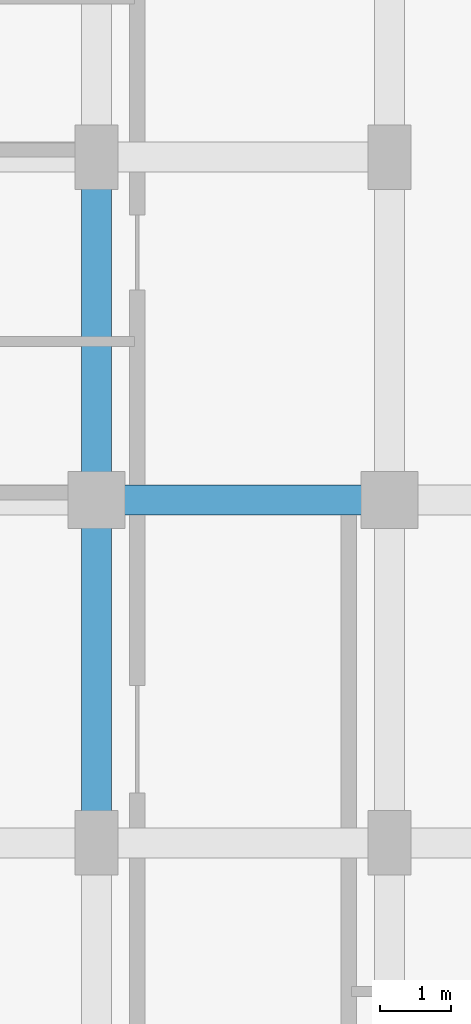
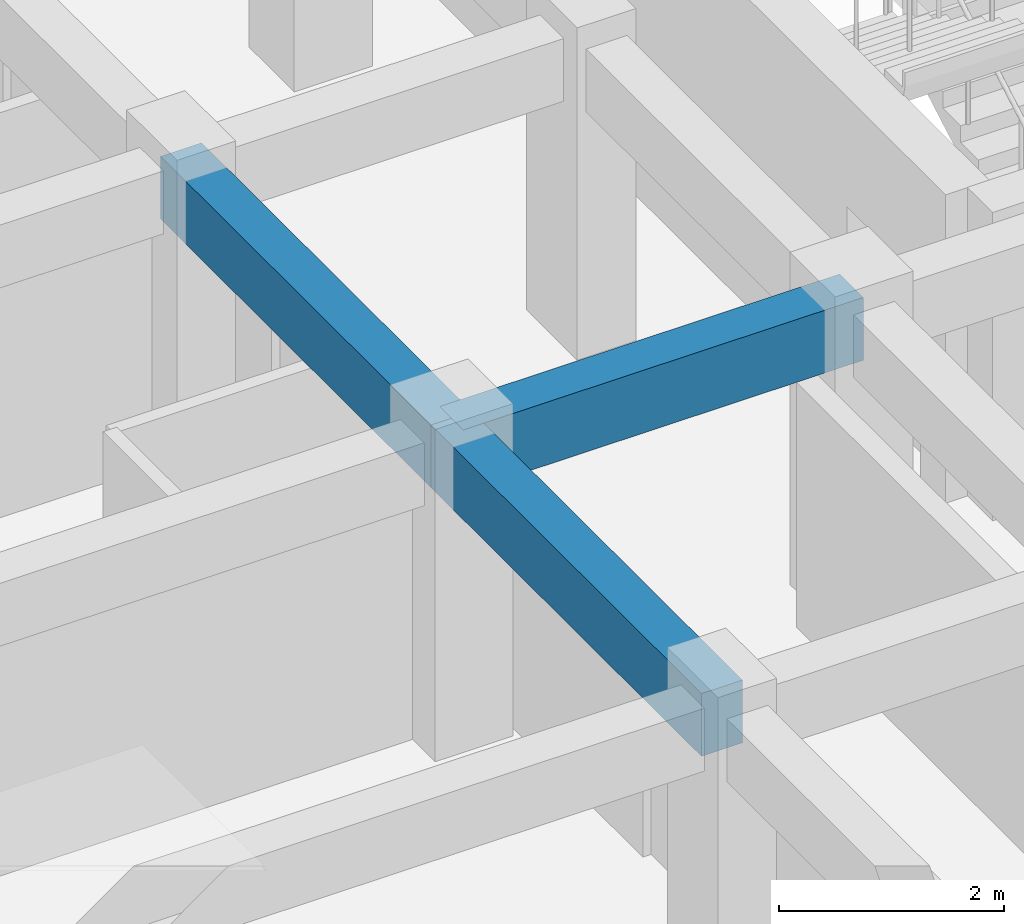
# One storey, part 7 of 82: 3 beams.
"""IFC4 building model written with IfcOpenShell, lengths in metres."""

from ifc_helpers import new_model, si_unit, direction, frame, origin, origin_2d, place, context, subcontext, project, spatial, rectangle, extrude, material, material_profile, profile_set, type_object, element, save


model = new_model("IFC4")

# Units and contexts
model_context = context("Model", 3, precision=1e-05, world=origin(), true_north=direction((0.0, 1.0)))
body_context = subcontext(model_context, "Body", "Model", "MODEL_VIEW")
ifc_project = project(units=[si_unit("LENGTHUNIT", "METRE"), si_unit("AREAUNIT", "SQUARE_METRE"), si_unit("VOLUMEUNIT", "CUBIC_METRE"), si_unit("PLANEANGLEUNIT", "RADIAN"), si_unit("MASSUNIT", "GRAM", prefix="KILO")], contexts=[model_context])

# Site, building, storey
site_placement = place(None, origin())
site = spatial("IfcSite", under=ifc_project, at=site_placement, CompositionType="ELEMENT")
building_placement = place(site_placement, origin())
building = spatial("IfcBuilding", under=site, at=building_placement, Name="Nakhvara Creek Congress Hotel", CompositionType="ELEMENT")
storey_placement = place(building_placement, frame((0.0, 0.0, 21.0)))
storey = spatial("IfcBuildingStorey", under=building, at=storey_placement, Name="L04", CompositionType="ELEMENT", Elevation=21.0)

# Beams
ifc_material = material(Name="Concrete C40/50", Category="concrete")
ifc_material_profile = material_profile(ifc_material, rectangle(XDim=0.419921875, YDim=0.679931640625, at=origin_2d()), Name="RC-BM 420x680", Category="LoadBearing")
ifc_profile_set = profile_set([ifc_material_profile], Name="Concrete C40/50")
beam_type = type_object("IfcBeamType", Name="BM-RC-420X680", PredefinedType="BEAM", material=ifc_profile_set)
beam_placement = place(storey_placement, frame((162.35009765625, 28.800048828125, 3.0), z_axis=(1.0, 0.0, 0.0), x_axis=(0.0, 1.0, 0.0)))
element("IfcBeam", 1, at=beam_placement, inside=storey, type_object=beam_type, Name="Beam B11-L04-1943", PredefinedType="BEAM", context=body_context, shape_type="SweptSolid", body=[
    extrude(rectangle(XDim=0.419921875, YDim=0.679931640625, at=origin_2d()), origin(), (0.0, 0.0, 1.0), 4.099853515625),
])
for number, where, z_axis, x_axis, name in (
    (2, (162.35009765625, 24.0, 3.0), (0.0, 1.0, 0.0), (-1.0, 0.0, 0.0), "Beam B11-L04-1944"),
    (3, (162.35009765625, 28.800048828125, 3.0), (0.0, 1.0, 0.0), (-1.0, 0.0, 0.0), "Beam B11-L04-1945"),
):
    element("IfcBeam", number, at=place(storey_placement, frame(where, z_axis=z_axis, x_axis=x_axis)), inside=storey, type_object=beam_type, Name=name, PredefinedType="BEAM", context=body_context, shape_type="SweptSolid", body=[
        extrude(rectangle(XDim=0.419921875, YDim=0.679931640625, at=origin_2d()), origin(), (0.0, 0.0, 1.0), 4.800048828125),
    ])

save(model, "model.ifc")
